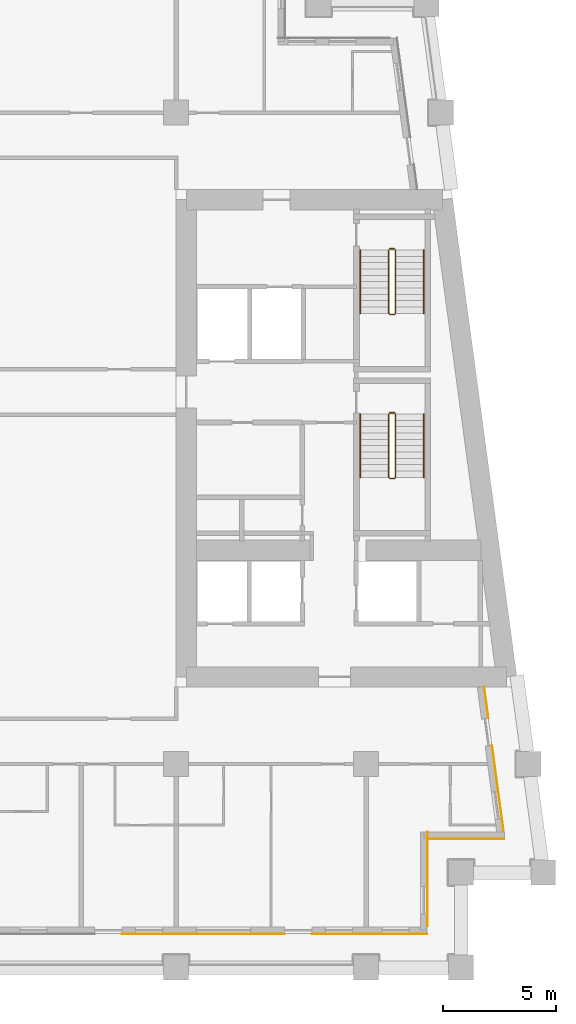
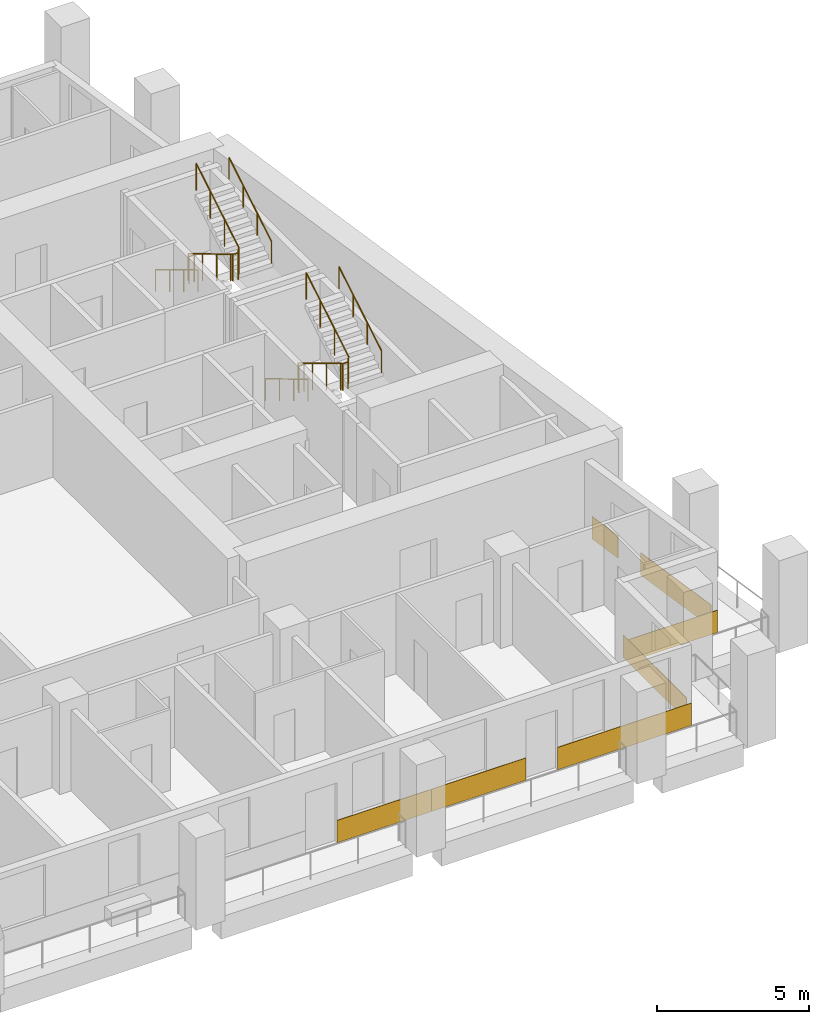
# One storey, part 11 of 13: 8 railings, 7 coverings.
"""IFC4 building model written with IfcOpenShell, lengths in metres."""

from ifc_helpers import new_model, si_unit, direction, frame, origin, origin_2d, place, context, subcontext, project, spatial, rectangle, circle, extrude, material, layer, layer_set, type_object, element, save


model = new_model("IFC4")

# Units and contexts
model_context = context("Model", 3, precision=1e-05, world=origin(), true_north=direction((0.0, 1.0)))
body_context = subcontext(model_context, "Body", "Model", "MODEL_VIEW")
ifc_project = project(units=[si_unit("LENGTHUNIT", "METRE"), si_unit("AREAUNIT", "SQUARE_METRE"), si_unit("VOLUMEUNIT", "CUBIC_METRE"), si_unit("PLANEANGLEUNIT", "RADIAN"), si_unit("MASSUNIT", "GRAM", prefix="KILO")], contexts=[model_context])

# Site, building, storey
site_placement = place(None, origin())
site = spatial("IfcSite", under=ifc_project, at=site_placement, CompositionType="ELEMENT")
building_placement = place(site_placement, origin())
building = spatial("IfcBuilding", under=site, at=building_placement, Name="Candeia Pilgrim Tower and Theatre", CompositionType="ELEMENT")
storey_placement = place(building_placement, frame((0.0, 0.0, 188.5)))
storey = spatial("IfcBuildingStorey", under=building, at=storey_placement, Name="L45", CompositionType="ELEMENT", Elevation=188.5)

# Coverings
ifc_material_1 = material(Name="Glazed ceramic tile red")
ifc_layer_1 = layer(ifc_material_1, 0.02001953125)
ifc_layer_set_1 = layer_set([ifc_layer_1], Name="Glazed ceramic tile red")
covering_type_1 = type_object("IfcCoveringType", Name="Glazed ceramic tile red", PredefinedType="CLADDING", material=ifc_layer_set_1)
covering_1_placement = place(storey_placement, frame((125.39990234375, 99.489990234375, 0.0), z_axis=(0.0, 0.0, 1.0), x_axis=(1.0, 0.0, 0.0)))
element("IfcCovering", 1, at=covering_1_placement, inside=storey, type_object=covering_type_1, Name="Tile cladding red L45", PredefinedType="CLADDING", context=body_context, shape_type="SweptSolid", body=[
    extrude(rectangle(XDim=3.60009765625, YDim=0.02001953125, at=origin_2d()), origin(), (0.0, 0.0, 1.0), 0.89990234375),
])
ifc_material_2 = material(Name="Glazed ceramic tile rust")
ifc_layer_2 = layer(ifc_material_2, 0.02001953125)
ifc_layer_set_2 = layer_set([ifc_layer_2], Name="Glazed ceramic tile rust")
covering_type_2 = type_object("IfcCoveringType", Name="Glazed ceramic tile rust", PredefinedType="CLADDING", material=ifc_layer_set_2)
covering_2_placement = place(storey_placement, frame((129.0, 99.489990234375, 0.0), z_axis=(0.0, 0.0, 1.0), x_axis=(1.0, 0.0, 0.0)))
element("IfcCovering", 2, at=covering_2_placement, inside=storey, type_object=covering_type_2, Name="Tile cladding rust L45", PredefinedType="CLADDING", context=body_context, shape_type="SweptSolid", body=[
    extrude(rectangle(XDim=3.60009765625, YDim=0.02001953125, at=origin_2d()), origin(), (0.0, 0.0, 1.0), 0.89990234375),
])
covering_3_placement = place(storey_placement, frame((134.550048828125, 99.489990234375, 0.0), z_axis=(0.0, 0.0, 1.0), x_axis=(1.0, 0.0, 0.0)))
element("IfcCovering", 3, at=covering_3_placement, inside=storey, type_object=covering_type_2, Name="Tile cladding rust L45", PredefinedType="CLADDING", context=body_context, shape_type="SweptSolid", body=[
    extrude(rectangle(XDim=5.10009765625, YDim=0.02001953125, at=origin_2d()), origin(), (0.0, 0.0, 1.0), 0.89990234375),
])
covering_4_placement = place(storey_placement, frame((137.110107421875, 101.909912109375, 0.0), z_axis=(0.0, 0.0, 1.0), x_axis=(0.0, 1.0, 0.0)))
element("IfcCovering", 4, at=covering_4_placement, inside=storey, type_object=covering_type_2, Name="Tile cladding rust L45", PredefinedType="CLADDING", context=body_context, shape_type="SweptSolid", body=[
    extrude(rectangle(XDim=4.179931640625, YDim=0.02001953125, at=origin_2d()), origin(), (0.0, 0.0, 1.0), 0.89990234375),
])
covering_5_placement = place(storey_placement, frame((138.819580078125, 103.68994140625, 0.0), z_axis=(0.0, 0.0, 1.0), x_axis=(1.0, 0.0, 0.0)))
element("IfcCovering", 5, at=covering_5_placement, inside=storey, type_object=covering_type_2, Name="Tile cladding rust L45", PredefinedType="CLADDING", context=body_context, shape_type="SweptSolid", body=[
    extrude(rectangle(XDim=3.399169921875, YDim=0.02001953125, at=origin_2d()), origin(), (0.0, 0.0, 1.0), 0.89990234375),
])
covering_6_placement = place(storey_placement, frame((140.228515625, 105.933349609375, 0.0), z_axis=(0.0, 0.0, 1.0), x_axis=(-0.133412012145, 0.991060661622, 0.0)))
element("IfcCovering", 6, at=covering_6_placement, inside=storey, type_object=covering_type_2, Name="Tile cladding rust L45", PredefinedType="CLADDING", context=body_context, shape_type="SweptSolid", body=[
    extrude(rectangle(XDim=3.821044921875, YDim=0.02001953125, at=origin_2d()), origin(), (0.0, 0.0, 1.0), 0.89990234375),
])
covering_7_placement = place(storey_placement, frame((139.718994140625, 109.71875, 0.0), z_axis=(0.0, 0.0, 1.0), x_axis=(-0.133412012145, 0.991060661622, 0.0)))
element("IfcCovering", 7, at=covering_7_placement, inside=storey, type_object=covering_type_2, Name="Tile cladding rust L45", PredefinedType="CLADDING", context=body_context, shape_type="SweptSolid", body=[
    extrude(rectangle(XDim=1.41796875, YDim=0.02001953125, at=origin_2d()), origin(), (0.0, 0.0, 1.0), 0.89990234375),
])

# Railings
ifc_material_3 = material(Name="Stainless steel balustrade", Category="steel")
railing_type_1 = type_object("IfcRailingType", Name="RL-GUARD-1100", PredefinedType="GUARDRAIL", material=ifc_material_3)
railing_1_placement = place(storey_placement, frame((135.39794921875, 122.47509765625, 0.168212890625)))
element("IfcRailing", 8, at=railing_1_placement, inside=storey, type_object=railing_type_1, Name="L45 ST3 stair guard 1", PredefinedType="GUARDRAIL", context=body_context, shape_type="SweptSolid", body=[
    extrude(circle(Radius=0.02392578125, at=origin_2d()), frame((0.0, 0.0, 1.076171875), z_axis=(0.0, -0.857242210791, 0.514913383045), x_axis=(1.0, 0.0, 0.0)), (0.0, 0.0, 1.0), 3.266357421875),
    extrude(circle(Radius=0.02392578125, at=origin_2d()), frame((0.0, -2.800048828125, 2.7578125), z_axis=(0.707106781187, -0.707106781187, 0.0), x_axis=(0.707106781187, 0.707106781187, 0.0)), (0.0, 0.0, 1.0), 0.07080078125),
    extrude(circle(Radius=0.02392578125, at=origin_2d()), frame((0.050048828125, -2.85009765625, 2.7578125), z_axis=(1.0, 0.0, 0.0), x_axis=(0.0, 1.0, 0.0)), (0.0, 0.0, 1.0), 0.199951171875),
    extrude(circle(Radius=0.02392578125, at=origin_2d()), frame((0.25, -2.85009765625, 2.7578125), z_axis=(0.274582412415, 0.274582412415, 0.921525364591), x_axis=(-0.707106781187, 0.707106781187, 0.0)), (0.0, 0.0, 1.0), 0.182373046875),
    extrude(circle(Radius=0.02392578125, at=origin_2d()), frame((0.300048828125, -2.800048828125, 2.92578125), z_axis=(0.0, 0.857242210791, 0.514913383045), x_axis=(-1.0, 0.0, 0.0)), (0.0, 0.0, 1.0), 3.266357421875),
    extrude(circle(Radius=0.02099609375, at=origin_2d()), origin(), (0.0, 0.0, 1.0), 1.052001953125),
    extrude(circle(Radius=0.02099609375, at=origin_2d()), frame((0.0, -0.933349609375, 0.560546875)), (0.0, 0.0, 1.0), 1.052001953125),
    extrude(circle(Radius=0.02099609375, at=origin_2d()), frame((0.0, -1.86669921875, 1.121337890625)), (0.0, 0.0, 1.0), 1.052001953125),
    extrude(circle(Radius=0.02099609375, at=origin_2d()), frame((0.0, -2.800048828125, 1.681884765625)), (0.0, 0.0, 1.0), 1.052001953125),
    extrude(circle(Radius=0.02099609375, at=origin_2d()), frame((0.050048828125, -2.85009765625, 1.681884765625)), (0.0, 0.0, 1.0), 1.052001953125),
    extrude(circle(Radius=0.02099609375, at=origin_2d()), frame((0.25, -2.85009765625, 1.681884765625)), (0.0, 0.0, 1.0), 1.052001953125),
    extrude(circle(Radius=0.02099609375, at=origin_2d()), frame((0.300048828125, -2.800048828125, 1.849853515625)), (0.0, 0.0, 1.0), 1.052001953125),
    extrude(circle(Radius=0.02099609375, at=origin_2d()), frame((0.300048828125, -1.86669921875, 2.410400390625)), (0.0, 0.0, 1.0), 1.052001953125),
    extrude(circle(Radius=0.02099609375, at=origin_2d()), frame((0.300048828125, -0.933349609375, 2.97119140625)), (0.0, 0.0, 1.0), 1.052001953125),
    extrude(circle(Radius=0.02099609375, at=origin_2d()), frame((0.300048828125, 0.0, 3.53173828125)), (0.0, 0.0, 1.0), 1.052001953125),
])
railing_2_placement = place(storey_placement, frame((135.447998046875, 122.52490234375, 0.0)))
element("IfcRailing", 9, at=railing_2_placement, inside=storey, type_object=railing_type_1, Name="L45 ST3 stair guard 2", PredefinedType="GUARDRAIL", context=body_context, shape_type="SweptSolid", body=[
    extrude(circle(Radius=0.02392578125, at=origin_2d()), frame((0.0, 0.0, 1.076171875), z_axis=(1.0, 0.0, 0.0), x_axis=(0.0, 1.0, 0.0)), (0.0, 0.0, 1.0), 0.199951171875),
    extrude(circle(Radius=0.02099609375, at=origin_2d()), origin(), (0.0, 0.0, 1.0), 1.052001953125),
    extrude(circle(Radius=0.02099609375, at=origin_2d()), frame((0.199951171875, 0.0, 0.0)), (0.0, 0.0, 1.0), 1.052001953125),
])
railing_3_placement = place(storey_placement, frame((135.39794921875, 129.72509765625, 0.168212890625)))
element("IfcRailing", 10, at=railing_3_placement, inside=storey, type_object=railing_type_1, Name="L45 ST4 stair guard 1", PredefinedType="GUARDRAIL", context=body_context, shape_type="SweptSolid", body=[
    extrude(circle(Radius=0.02392578125, at=origin_2d()), frame((0.0, 0.0, 1.076171875), z_axis=(0.0, -0.857242210791, 0.514913383045), x_axis=(1.0, 0.0, 0.0)), (0.0, 0.0, 1.0), 3.266357421875),
    extrude(circle(Radius=0.02392578125, at=origin_2d()), frame((0.0, -2.800048828125, 2.7578125), z_axis=(0.707106781187, -0.707106781187, 0.0), x_axis=(0.707106781187, 0.707106781187, 0.0)), (0.0, 0.0, 1.0), 0.07080078125),
    extrude(circle(Radius=0.02392578125, at=origin_2d()), frame((0.050048828125, -2.85009765625, 2.7578125), z_axis=(1.0, 0.0, 0.0), x_axis=(0.0, 1.0, 0.0)), (0.0, 0.0, 1.0), 0.199951171875),
    extrude(circle(Radius=0.02392578125, at=origin_2d()), frame((0.25, -2.85009765625, 2.7578125), z_axis=(0.274582412415, 0.274582412415, 0.921525364591), x_axis=(-0.707106781187, 0.707106781187, 0.0)), (0.0, 0.0, 1.0), 0.182373046875),
    extrude(circle(Radius=0.02392578125, at=origin_2d()), frame((0.300048828125, -2.800048828125, 2.92578125), z_axis=(0.0, 0.857242210791, 0.514913383045), x_axis=(-1.0, 0.0, 0.0)), (0.0, 0.0, 1.0), 3.266357421875),
    extrude(circle(Radius=0.02099609375, at=origin_2d()), origin(), (0.0, 0.0, 1.0), 1.052001953125),
    extrude(circle(Radius=0.02099609375, at=origin_2d()), frame((0.0, -0.933349609375, 0.560546875)), (0.0, 0.0, 1.0), 1.052001953125),
    extrude(circle(Radius=0.02099609375, at=origin_2d()), frame((0.0, -1.86669921875, 1.121337890625)), (0.0, 0.0, 1.0), 1.052001953125),
    extrude(circle(Radius=0.02099609375, at=origin_2d()), frame((0.0, -2.800048828125, 1.681884765625)), (0.0, 0.0, 1.0), 1.052001953125),
    extrude(circle(Radius=0.02099609375, at=origin_2d()), frame((0.050048828125, -2.85009765625, 1.681884765625)), (0.0, 0.0, 1.0), 1.052001953125),
    extrude(circle(Radius=0.02099609375, at=origin_2d()), frame((0.25, -2.85009765625, 1.681884765625)), (0.0, 0.0, 1.0), 1.052001953125),
    extrude(circle(Radius=0.02099609375, at=origin_2d()), frame((0.300048828125, -2.800048828125, 1.849853515625)), (0.0, 0.0, 1.0), 1.052001953125),
    extrude(circle(Radius=0.02099609375, at=origin_2d()), frame((0.300048828125, -1.86669921875, 2.410400390625)), (0.0, 0.0, 1.0), 1.052001953125),
    extrude(circle(Radius=0.02099609375, at=origin_2d()), frame((0.300048828125, -0.933349609375, 2.97119140625)), (0.0, 0.0, 1.0), 1.052001953125),
    extrude(circle(Radius=0.02099609375, at=origin_2d()), frame((0.300048828125, 0.0, 3.53173828125)), (0.0, 0.0, 1.0), 1.052001953125),
])
railing_4_placement = place(storey_placement, frame((135.447998046875, 129.77490234375, 0.0)))
element("IfcRailing", 11, at=railing_4_placement, inside=storey, type_object=railing_type_1, Name="L45 ST4 stair guard 2", PredefinedType="GUARDRAIL", context=body_context, shape_type="SweptSolid", body=[
    extrude(circle(Radius=0.02392578125, at=origin_2d()), frame((0.0, 0.0, 1.076171875), z_axis=(1.0, 0.0, 0.0), x_axis=(0.0, 1.0, 0.0)), (0.0, 0.0, 1.0), 0.199951171875),
    extrude(circle(Radius=0.02099609375, at=origin_2d()), origin(), (0.0, 0.0, 1.0), 1.052001953125),
    extrude(circle(Radius=0.02099609375, at=origin_2d()), frame((0.199951171875, 0.0, 0.0)), (0.0, 0.0, 1.0), 1.052001953125),
])
ifc_material_4 = material(Name="Stainless steel handrail", Category="steel")
railing_type_2 = type_object("IfcRailingType", Name="RL-HANDRAIL-900", PredefinedType="HANDRAIL", material=ifc_material_4)
railing_5_placement = place(storey_placement, frame((134.14794921875, 122.47509765625, 0.168212890625)))
element("IfcRailing", 12, at=railing_5_placement, inside=storey, type_object=railing_type_2, Name="L45 ST3 stair handrail 1", PredefinedType="HANDRAIL", context=body_context, shape_type="SweptSolid", body=[
    extrude(circle(Radius=0.02392578125, at=origin_2d()), frame((0.0, 0.0, 0.8759765625), z_axis=(0.0, -0.857242210791, 0.514913383045), x_axis=(1.0, 0.0, 0.0)), (0.0, 0.0, 1.0), 3.266357421875),
    extrude(circle(Radius=0.02099609375, at=origin_2d()), origin(), (0.0, 0.0, 1.0), 0.851806640625),
    extrude(circle(Radius=0.02099609375, at=origin_2d()), frame((0.0, -0.933349609375, 0.560546875)), (0.0, 0.0, 1.0), 0.851806640625),
    extrude(circle(Radius=0.02099609375, at=origin_2d()), frame((0.0, -1.86669921875, 1.121337890625)), (0.0, 0.0, 1.0), 0.851806640625),
    extrude(circle(Radius=0.02099609375, at=origin_2d()), frame((0.0, -2.800048828125, 1.681884765625)), (0.0, 0.0, 1.0), 0.851806640625),
])
railing_6_placement = place(storey_placement, frame((136.947998046875, 119.675048828125, 2.01806640625)))
element("IfcRailing", 13, at=railing_6_placement, inside=storey, type_object=railing_type_2, Name="L45 ST3 stair handrail 2", PredefinedType="HANDRAIL", context=body_context, shape_type="SweptSolid", body=[
    extrude(circle(Radius=0.02392578125, at=origin_2d()), frame((0.0, 0.0, 0.8759765625), z_axis=(0.0, 0.857242210791, 0.514913383045), x_axis=(-1.0, 0.0, 0.0)), (0.0, 0.0, 1.0), 3.266357421875),
    extrude(circle(Radius=0.02099609375, at=origin_2d()), origin(), (0.0, 0.0, 1.0), 0.851806640625),
    extrude(circle(Radius=0.02099609375, at=origin_2d()), frame((0.0, 0.933349609375, 0.560546875)), (0.0, 0.0, 1.0), 0.851806640625),
    extrude(circle(Radius=0.02099609375, at=origin_2d()), frame((0.0, 1.86669921875, 1.121337890625)), (0.0, 0.0, 1.0), 0.851806640625),
    extrude(circle(Radius=0.02099609375, at=origin_2d()), frame((0.0, 2.800048828125, 1.681884765625)), (0.0, 0.0, 1.0), 0.851806640625),
])
railing_7_placement = place(storey_placement, frame((134.14794921875, 129.72509765625, 0.168212890625)))
element("IfcRailing", 14, at=railing_7_placement, inside=storey, type_object=railing_type_2, Name="L45 ST4 stair handrail 1", PredefinedType="HANDRAIL", context=body_context, shape_type="SweptSolid", body=[
    extrude(circle(Radius=0.02392578125, at=origin_2d()), frame((0.0, 0.0, 0.8759765625), z_axis=(0.0, -0.857242210791, 0.514913383045), x_axis=(1.0, 0.0, 0.0)), (0.0, 0.0, 1.0), 3.266357421875),
    extrude(circle(Radius=0.02099609375, at=origin_2d()), origin(), (0.0, 0.0, 1.0), 0.851806640625),
    extrude(circle(Radius=0.02099609375, at=origin_2d()), frame((0.0, -0.933349609375, 0.560546875)), (0.0, 0.0, 1.0), 0.851806640625),
    extrude(circle(Radius=0.02099609375, at=origin_2d()), frame((0.0, -1.86669921875, 1.121337890625)), (0.0, 0.0, 1.0), 0.851806640625),
    extrude(circle(Radius=0.02099609375, at=origin_2d()), frame((0.0, -2.800048828125, 1.681884765625)), (0.0, 0.0, 1.0), 0.851806640625),
])
railing_8_placement = place(storey_placement, frame((136.947998046875, 126.925048828125, 2.01806640625)))
element("IfcRailing", 15, at=railing_8_placement, inside=storey, type_object=railing_type_2, Name="L45 ST4 stair handrail 2", PredefinedType="HANDRAIL", context=body_context, shape_type="SweptSolid", body=[
    extrude(circle(Radius=0.02392578125, at=origin_2d()), frame((0.0, 0.0, 0.8759765625), z_axis=(0.0, 0.857242210791, 0.514913383045), x_axis=(-1.0, 0.0, 0.0)), (0.0, 0.0, 1.0), 3.266357421875),
    extrude(circle(Radius=0.02099609375, at=origin_2d()), origin(), (0.0, 0.0, 1.0), 0.851806640625),
    extrude(circle(Radius=0.02099609375, at=origin_2d()), frame((0.0, 0.933349609375, 0.560546875)), (0.0, 0.0, 1.0), 0.851806640625),
    extrude(circle(Radius=0.02099609375, at=origin_2d()), frame((0.0, 1.86669921875, 1.121337890625)), (0.0, 0.0, 1.0), 0.851806640625),
    extrude(circle(Radius=0.02099609375, at=origin_2d()), frame((0.0, 2.800048828125, 1.681884765625)), (0.0, 0.0, 1.0), 0.851806640625),
])

save(model, "model.ifc")
